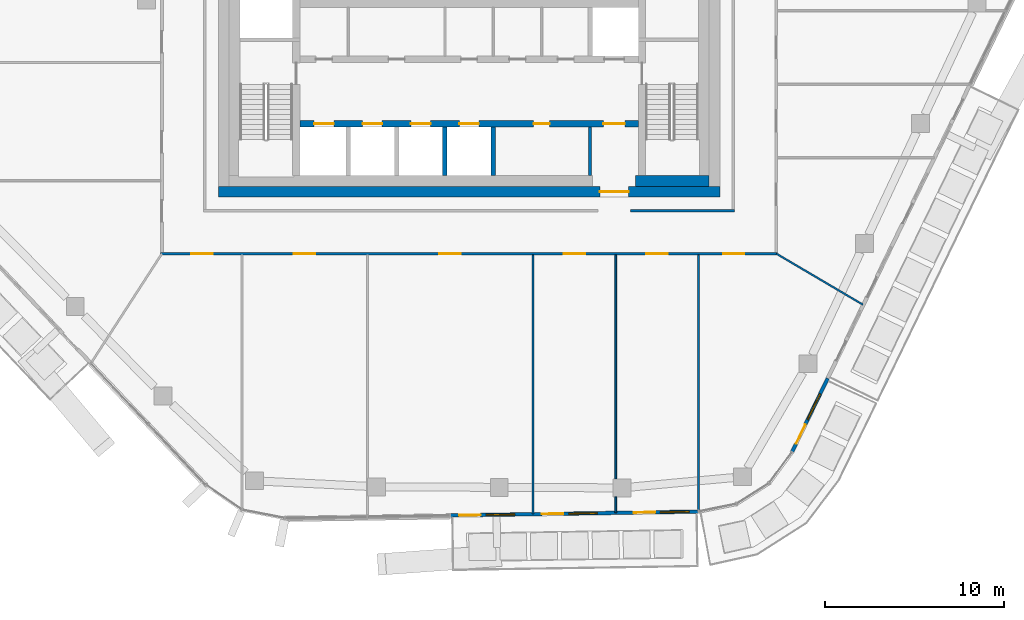
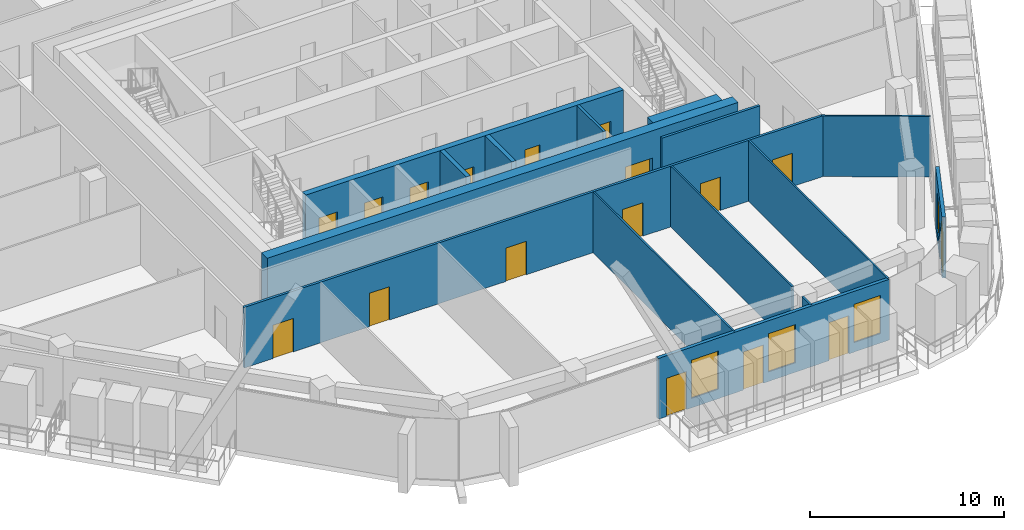
# One storey, part 13 of 24: 17 doors, 15 walls, 4 windows, 21 openings.
"""IFC4 building model written with IfcOpenShell, lengths in metres."""

from ifc_helpers import new_model, si_unit, direction, frame, frame_2d, origin, place, context, subcontext, project, spatial, rectangle, extrude, material, layer, layer_set, type_object, element, fill, save


model = new_model("IFC4")

# Units and contexts
model_context = context("Model", 3, precision=1e-05, world=origin(), true_north=direction((0.0, 1.0)))
body_context = subcontext(model_context, "Body", "Model", "MODEL_VIEW")
ifc_project = project(units=[si_unit("LENGTHUNIT", "METRE"), si_unit("AREAUNIT", "SQUARE_METRE"), si_unit("VOLUMEUNIT", "CUBIC_METRE"), si_unit("PLANEANGLEUNIT", "RADIAN"), si_unit("MASSUNIT", "GRAM", prefix="KILO")], contexts=[model_context])

# Site, building, storey
site_placement = place(None, origin())
site = spatial("IfcSite", under=ifc_project, at=site_placement, CompositionType="ELEMENT")
building_placement = place(site_placement, origin())
building = spatial("IfcBuilding", under=site, at=building_placement, Name="Dongbaek Canopy Tower", CompositionType="ELEMENT")
storey_placement = place(building_placement, frame((0.0, 0.0, 298.39990234375)))
storey = spatial("IfcBuildingStorey", under=building, at=storey_placement, Name="L63", CompositionType="ELEMENT", Elevation=298.39990234375)

# Wall, openings, doors
ifc_material_1 = material(Name="Concrete C60/75", Category="concrete")
ifc_layer_1 = layer(ifc_material_1, 0.35009765625)
ifc_layer_set_1 = layer_set([ifc_layer_1], Name="Core lobby wall 350 Concrete C60/75")
wall_type_1 = type_object("IfcWallType", Name="Core lobby wall 350 Concrete C60/75", PredefinedType="SHEAR", material=ifc_layer_set_1)
wall_1_placement = place(storey_placement, frame((9.449951171875, -6.89990234375, 0.0), z_axis=(0.0, 0.0, 1.0), x_axis=(-1.0, 0.0, 0.0)))
wall_1 = element("IfcWall", 1, at=wall_1_placement, inside=storey, type_object=wall_type_1, Name="Core wall", PredefinedType="SHEAR", context=body_context, shape_type="SweptSolid", body=[
    extrude(rectangle(XDim=18.89990234375, YDim=0.35009765625, at=frame_2d((9.449951171875, 0.0))), origin(), (0.0, 0.0, 1.0), 3.820068359375),
])
opening_1_placement = place(wall_1_placement, frame((17.0, 0.0, 0.0)))
opening_1 = element("IfcOpeningElement", 2, at=opening_1_placement, cuts=wall_1, Name="Opening L63-D035", PredefinedType="OPENING", context=body_context, shape_type="SweptSolid", body=[
    extrude(rectangle(XDim=1.10009765625, YDim=2.10009765625, at=frame_2d((0.550048828125, 1.050048828125))), frame((0.0, 0.18505859375, 0.0), z_axis=(0.0, -1.0, 0.0), x_axis=(1.0, 0.0, 0.0)), (0.0, 0.0, 1.0), 0.3701171875),
])
opening_2_placement = place(wall_1_placement, frame((14.300048828125, 0.0, 0.0)))
opening_2 = element("IfcOpeningElement", 3, at=opening_2_placement, cuts=wall_1, Name="Opening L63-D036", PredefinedType="OPENING", context=body_context, shape_type="SweptSolid", body=[
    extrude(rectangle(XDim=1.10009765625, YDim=2.10009765625, at=frame_2d((0.550048828125, 1.050048828125))), frame((0.0, 0.18505859375, 0.0), z_axis=(0.0, -1.0, 0.0), x_axis=(1.0, 0.0, 0.0)), (0.0, 0.0, 1.0), 0.3701171875),
])
opening_3_placement = place(wall_1_placement, frame((11.60009765625, 0.0, 0.0)))
opening_3 = element("IfcOpeningElement", 4, at=opening_3_placement, cuts=wall_1, Name="Opening L63-D037", PredefinedType="OPENING", context=body_context, shape_type="SweptSolid", body=[
    extrude(rectangle(XDim=1.10009765625, YDim=2.10009765625, at=frame_2d((0.550048828125, 1.050048828125))), frame((0.0, 0.18505859375, 0.0), z_axis=(0.0, -1.0, 0.0), x_axis=(1.0, 0.0, 0.0)), (0.0, 0.0, 1.0), 0.3701171875),
])
opening_4_placement = place(wall_1_placement, frame((8.89990234375, 0.0, 0.0)))
opening_4 = element("IfcOpeningElement", 5, at=opening_4_placement, cuts=wall_1, Name="Opening L63-D038", PredefinedType="OPENING", context=body_context, shape_type="SweptSolid", body=[
    extrude(rectangle(XDim=1.10009765625, YDim=2.10009765625, at=frame_2d((0.550048828125, 1.050048828125))), frame((0.0, 0.18505859375, 0.0), z_axis=(0.0, -1.0, 0.0), x_axis=(1.0, 0.0, 0.0)), (0.0, 0.0, 1.0), 0.3701171875),
])
opening_5_placement = place(wall_1_placement, frame((0.75, 0.0, 0.0)))
opening_5 = element("IfcOpeningElement", 6, at=opening_5_placement, cuts=wall_1, Name="Opening L63-D040", PredefinedType="OPENING", context=body_context, shape_type="SweptSolid", body=[
    extrude(rectangle(XDim=1.199951171875, YDim=2.10009765625, at=frame_2d((0.60009765625, 1.050048828125))), frame((0.0, 0.18505859375, 0.0), z_axis=(0.0, -1.0, 0.0), x_axis=(1.0, 0.0, 0.0)), (0.0, 0.0, 1.0), 0.3701171875),
])
opening_6_placement = place(wall_1_placement, frame((4.949951171875, 0.0, 0.0)))
opening_6 = element("IfcOpeningElement", 7, at=opening_6_placement, cuts=wall_1, Name="Opening L63-D051", PredefinedType="OPENING", context=body_context, shape_type="SweptSolid", body=[
    extrude(rectangle(XDim=0.89990234375, YDim=2.10009765625, at=frame_2d((0.449951171875, 1.050048828125))), frame((0.0, 0.18505859375, 0.0), z_axis=(0.0, -1.0, 0.0), x_axis=(1.0, 0.0, 0.0)), (0.0, 0.0, 1.0), 0.3701171875),
])
ifc_material_2 = material(Name="Steel", Category="steel")
door_type_1 = type_object("IfcDoorType", Name="Core room door 900 x 2100", OperationType="SINGLE_SWING_LEFT", PredefinedType="DOOR", material=ifc_material_2)
door_1_placement = place(opening_6_placement, origin())
door_1 = element("IfcDoor", 8, at=door_1_placement, inside=storey, type_object=door_type_1, Name="Door L63-D051", OperationType="SINGLE_SWING_RIGHT", OverallHeight=2.10009765625, OverallWidth=0.89990234375, PredefinedType="DOOR", context=body_context, shape_type="SweptSolid", body=[
    extrude(rectangle(XDim=0.89990234375, YDim=2.10009765625, at=frame_2d((0.449951171875, 1.050048828125))), frame((0.0, 0.02490234375, 0.0), z_axis=(0.0, -1.0, 0.0), x_axis=(1.0, 0.0, 0.0)), (0.0, 0.0, 1.0), 0.050048828125),
])
fill(opening_6, door_1)
ifc_material_3 = material(Name="Steel", Category="steel")
door_type_2 = type_object("IfcDoorType", Name="Fire lobby door 1200 x 2100", OperationType="SINGLE_SWING_LEFT", PredefinedType="DOOR", material=ifc_material_3)
door_2_placement = place(opening_5_placement, origin())
door_2 = element("IfcDoor", 9, at=door_2_placement, inside=storey, type_object=door_type_2, Name="Door L63-D040", OperationType="SINGLE_SWING_LEFT", OverallHeight=2.10009765625, OverallWidth=1.199951171875, PredefinedType="DOOR", context=body_context, shape_type="SweptSolid", body=[
    extrude(rectangle(XDim=1.199951171875, YDim=2.10009765625, at=frame_2d((0.60009765625, 1.050048828125))), frame((0.0, 0.02490234375, 0.0), z_axis=(0.0, -1.0, 0.0), x_axis=(1.0, 0.0, 0.0)), (0.0, 0.0, 1.0), 0.050048828125),
])
fill(opening_5, door_2)
ifc_material_4 = material(Name="Stainless steel", Category="steel")
door_type_3 = type_object("IfcDoorType", Name="Lift landing door 1100 x 2100", OperationType="DOUBLE_DOOR_SLIDING", PredefinedType="DOOR", material=ifc_material_4)
door_3_placement = place(opening_1_placement, origin())
door_3 = element("IfcDoor", 10, at=door_3_placement, inside=storey, type_object=door_type_3, Name="Landing door HR1", OperationType="DOUBLE_DOOR_SLIDING", OverallHeight=2.10009765625, OverallWidth=1.10009765625, PredefinedType="DOOR", context=body_context, shape_type="SweptSolid", body=[
    extrude(rectangle(XDim=1.10009765625, YDim=2.10009765625, at=frame_2d((0.550048828125, 1.050048828125))), frame((0.0, 0.02490234375, 0.0), z_axis=(0.0, -1.0, 0.0), x_axis=(1.0, 0.0, 0.0)), (0.0, 0.0, 1.0), 0.050048828125),
])
fill(opening_1, door_3)
door_4_placement = place(opening_2_placement, origin())
door_4 = element("IfcDoor", 11, at=door_4_placement, inside=storey, type_object=door_type_3, Name="Landing door HR2", OperationType="DOUBLE_DOOR_SLIDING", OverallHeight=2.10009765625, OverallWidth=1.10009765625, PredefinedType="DOOR", context=body_context, shape_type="SweptSolid", body=[
    extrude(rectangle(XDim=1.10009765625, YDim=2.10009765625, at=frame_2d((0.550048828125, 1.050048828125))), frame((0.0, 0.02490234375, 0.0), z_axis=(0.0, -1.0, 0.0), x_axis=(1.0, 0.0, 0.0)), (0.0, 0.0, 1.0), 0.050048828125),
])
fill(opening_2, door_4)
door_5_placement = place(opening_3_placement, origin())
door_5 = element("IfcDoor", 12, at=door_5_placement, inside=storey, type_object=door_type_3, Name="Landing door HR3", OperationType="DOUBLE_DOOR_SLIDING", OverallHeight=2.10009765625, OverallWidth=1.10009765625, PredefinedType="DOOR", context=body_context, shape_type="SweptSolid", body=[
    extrude(rectangle(XDim=1.10009765625, YDim=2.10009765625, at=frame_2d((0.550048828125, 1.050048828125))), frame((0.0, 0.02490234375, 0.0), z_axis=(0.0, -1.0, 0.0), x_axis=(1.0, 0.0, 0.0)), (0.0, 0.0, 1.0), 0.050048828125),
])
fill(opening_3, door_5)
door_6_placement = place(opening_4_placement, origin())
door_6 = element("IfcDoor", 13, at=door_6_placement, inside=storey, type_object=door_type_3, Name="Landing door HR4", OperationType="DOUBLE_DOOR_SLIDING", OverallHeight=2.10009765625, OverallWidth=1.10009765625, PredefinedType="DOOR", context=body_context, shape_type="SweptSolid", body=[
    extrude(rectangle(XDim=1.10009765625, YDim=2.10009765625, at=frame_2d((0.550048828125, 1.050048828125))), frame((0.0, 0.02490234375, 0.0), z_axis=(0.0, -1.0, 0.0), x_axis=(1.0, 0.0, 0.0)), (0.0, 0.0, 1.0), 0.050048828125),
])
fill(opening_4, door_6)

# Wall, opening, door
ifc_material_5 = material(Name="Concrete C80/95", Category="concrete")
ifc_layer_2 = layer(ifc_material_5, 0.60009765625)
ifc_layer_set_2 = layer_set([ifc_layer_2], Name="Core outer wall 600 Concrete C80/95")
wall_type_2 = type_object("IfcWallType", Name="Core outer wall 600 Concrete C80/95", PredefinedType="SHEAR", material=ifc_layer_set_2)
wall_2_placement = place(storey_placement, frame((14.0, -10.699951171875, 0.0), z_axis=(0.0, 0.0, 1.0), x_axis=(-1.0, 0.0, 0.0)))
wall_2 = element("IfcWall", 14, at=wall_2_placement, inside=storey, type_object=wall_type_2, Name="Core wall", PredefinedType="SHEAR", context=body_context, shape_type="SweptSolid", body=[
    extrude(rectangle(XDim=28.0, YDim=0.60009765625, at=frame_2d((14.0, 0.0))), origin(), (0.0, 0.0, 1.0), 3.820068359375),
])
opening_7_placement = place(wall_2_placement, frame((5.10009765625, 0.0, 0.0)))
opening_7 = element("IfcOpeningElement", 15, at=opening_7_placement, cuts=wall_2, Name="Opening L63-D039", PredefinedType="OPENING", context=body_context, shape_type="SweptSolid", body=[
    extrude(rectangle(XDim=1.60009765625, YDim=2.10009765625, at=frame_2d((0.800048828125, 1.050048828125))), frame((0.0, 0.31005859375, 0.0), z_axis=(0.0, -1.0, 0.0), x_axis=(1.0, 0.0, 0.0)), (0.0, 0.0, 1.0), 0.6201171875),
])
ifc_material_6 = material(Name="Steel", Category="steel")
door_type_4 = type_object("IfcDoorType", Name="Core exit door 1600 x 2100", OperationType="DOUBLE_DOOR_SINGLE_SWING", PredefinedType="DOOR", material=ifc_material_6)
door_7_placement = place(opening_7_placement, origin())
door_7 = element("IfcDoor", 16, at=door_7_placement, inside=storey, type_object=door_type_4, Name="Core exit door", OperationType="DOUBLE_DOOR_SINGLE_SWING", OverallHeight=2.10009765625, OverallWidth=1.60009765625, PredefinedType="DOOR", context=body_context, shape_type="SweptSolid", body=[
    extrude(rectangle(XDim=1.60009765625, YDim=2.10009765625, at=frame_2d((0.800048828125, 1.050048828125))), frame((0.0, 0.02490234375, 0.0), z_axis=(0.0, -1.0, 0.0), x_axis=(1.0, 0.0, 0.0)), (0.0, 0.0, 1.0), 0.050048828125),
])
fill(opening_7, door_7)

# Wall
ifc_material_7 = material(Name="Concrete C60/75", Category="concrete")
ifc_layer_3 = layer(ifc_material_7, 0.60009765625)
ifc_layer_set_3 = layer_set([ifc_layer_3], Name="Core wall lining 600 Concrete C60/75")
wall_type_3 = type_object("IfcWallType", Name="Core wall lining 600 Concrete C60/75", PredefinedType="SHEAR", material=ifc_layer_set_3)
wall_3_placement = place(storey_placement, frame((13.39990234375, -10.10009765625, 0.0), z_axis=(0.0, 0.0, 1.0), x_axis=(-1.0, 0.0, 0.0)))
element("IfcWall", 17, at=wall_3_placement, inside=storey, type_object=wall_type_3, Name="Core wall lining", PredefinedType="SHEAR", context=body_context, shape_type="SweptSolid", body=[
    extrude(rectangle(XDim=4.099853515625, YDim=0.60009765625, at=frame_2d((2.0498046875, 0.0))), origin(), (0.0, 0.0, 1.0), 3.820068359375),
])

# Wall, openings, doors
ifc_material_8 = material(Name="Gypsum board partition, steel stud, 2 x 15 mm fire board", Category="steel")
ifc_layer_4 = layer(ifc_material_8, 0.14990234375)
ifc_layer_set_4 = layer_set([ifc_layer_4], Name="Fire-rated partition 150 gypsum board")
wall_type_4 = type_object("IfcWallType", Name="Fire-rated partition 150 gypsum board", PredefinedType="PARTITIONING", material=ifc_layer_set_4)
wall_4_placement = place(storey_placement, frame((17.22509765625, -14.14990234375, 0.0), z_axis=(0.0, 0.0, 1.0), x_axis=(-1.0, 0.0, 0.0)))
wall_4 = element("IfcWall", 18, at=wall_4_placement, inside=storey, type_object=wall_type_4, Name="Corridor partition", PredefinedType="PARTITIONING", context=body_context, shape_type="SweptSolid", body=[
    extrude(rectangle(XDim=34.4501953125, YDim=0.14990234375, at=frame_2d((17.22509765625, 0.0))), origin(), (0.0, 0.0, 1.0), 3.820068359375),
])
opening_8_placement = place(wall_4_placement, frame((31.540283203125, 0.0, 0.0)))
opening_8 = element("IfcOpeningElement", 19, at=opening_8_placement, cuts=wall_4, Name="Opening L63-D004", PredefinedType="OPENING", context=body_context, shape_type="SweptSolid", body=[
    extrude(rectangle(XDim=1.199951171875, YDim=2.10009765625, at=frame_2d((0.60009765625, 1.050048828125))), frame((0.0, 0.0849609375, 0.0), z_axis=(0.0, -1.0, 0.0), x_axis=(1.0, 0.0, 0.0)), (0.0, 0.0, 1.0), 0.169921875),
])
opening_9_placement = place(wall_4_placement, frame((25.8037109375, 0.0, 0.0)))
opening_9 = element("IfcOpeningElement", 20, at=opening_9_placement, cuts=wall_4, Name="Opening L63-D005", PredefinedType="OPENING", context=body_context, shape_type="SweptSolid", body=[
    extrude(rectangle(XDim=1.199951171875, YDim=2.10009765625, at=frame_2d((0.60009765625, 1.050048828125))), frame((0.0, 0.0849609375, 0.0), z_axis=(0.0, -1.0, 0.0), x_axis=(1.0, 0.0, 0.0)), (0.0, 0.0, 1.0), 0.169921875),
])
opening_10_placement = place(wall_4_placement, frame((17.681396484375, 0.0, 0.0)))
opening_10 = element("IfcOpeningElement", 21, at=opening_10_placement, cuts=wall_4, Name="Opening L63-D006", PredefinedType="OPENING", context=body_context, shape_type="SweptSolid", body=[
    extrude(rectangle(XDim=1.199951171875, YDim=2.10009765625, at=frame_2d((0.60009765625, 1.050048828125))), frame((0.0, 0.0849609375, 0.0), z_axis=(0.0, -1.0, 0.0), x_axis=(1.0, 0.0, 0.0)), (0.0, 0.0, 1.0), 0.169921875),
])
opening_11_placement = place(wall_4_placement, frame((10.751708984375, 0.0, 0.0)))
opening_11 = element("IfcOpeningElement", 22, at=opening_11_placement, cuts=wall_4, Name="Opening L63-D007", PredefinedType="OPENING", context=body_context, shape_type="SweptSolid", body=[
    extrude(rectangle(XDim=1.199951171875, YDim=2.10009765625, at=frame_2d((0.60009765625, 1.050048828125))), frame((0.0, 0.0849609375, 0.0), z_axis=(0.0, -1.0, 0.0), x_axis=(1.0, 0.0, 0.0)), (0.0, 0.0, 1.0), 0.169921875),
])
opening_12_placement = place(wall_4_placement, frame((6.1328125, 0.0, 0.0)))
opening_12 = element("IfcOpeningElement", 23, at=opening_12_placement, cuts=wall_4, Name="Opening L63-D008", PredefinedType="OPENING", context=body_context, shape_type="SweptSolid", body=[
    extrude(rectangle(XDim=1.199951171875, YDim=2.10009765625, at=frame_2d((0.60009765625, 1.050048828125))), frame((0.0, 0.0849609375, 0.0), z_axis=(0.0, -1.0, 0.0), x_axis=(1.0, 0.0, 0.0)), (0.0, 0.0, 1.0), 0.169921875),
])
opening_13_placement = place(wall_4_placement, frame((1.85107421875, 0.0, 0.0)))
opening_13 = element("IfcOpeningElement", 24, at=opening_13_placement, cuts=wall_4, Name="Opening L63-D009", PredefinedType="OPENING", context=body_context, shape_type="SweptSolid", body=[
    extrude(rectangle(XDim=1.199951171875, YDim=2.10009765625, at=frame_2d((0.60009765625, 1.050048828125))), frame((0.0, 0.0849609375, 0.0), z_axis=(0.0, -1.0, 0.0), x_axis=(1.0, 0.0, 0.0)), (0.0, 0.0, 1.0), 0.169921875),
])
ifc_material_9 = material(Name="Timber veneered door leaf", Category="wood")
door_type_5 = type_object("IfcDoorType", Name="Room door 1200 x 2100", OperationType="SINGLE_SWING_LEFT", PredefinedType="DOOR", material=ifc_material_9)
door_8_placement = place(opening_8_placement, origin())
door_8 = element("IfcDoor", 25, at=door_8_placement, inside=storey, type_object=door_type_5, Name="Door L63-D004", OperationType="SINGLE_SWING_LEFT", OverallHeight=2.10009765625, OverallWidth=1.199951171875, PredefinedType="DOOR", context=body_context, shape_type="SweptSolid", body=[
    extrude(rectangle(XDim=1.199951171875, YDim=2.10009765625, at=frame_2d((0.60009765625, 1.050048828125))), frame((0.0, 0.02490234375, 0.0), z_axis=(0.0, -1.0, 0.0), x_axis=(1.0, 0.0, 0.0)), (0.0, 0.0, 1.0), 0.050048828125),
])
fill(opening_8, door_8)
door_9_placement = place(opening_9_placement, origin())
door_9 = element("IfcDoor", 26, at=door_9_placement, inside=storey, type_object=door_type_5, Name="Door L63-D005", OperationType="SINGLE_SWING_RIGHT", OverallHeight=2.10009765625, OverallWidth=1.199951171875, PredefinedType="DOOR", context=body_context, shape_type="SweptSolid", body=[
    extrude(rectangle(XDim=1.199951171875, YDim=2.10009765625, at=frame_2d((0.60009765625, 1.050048828125))), frame((0.0, 0.02490234375, 0.0), z_axis=(0.0, -1.0, 0.0), x_axis=(1.0, 0.0, 0.0)), (0.0, 0.0, 1.0), 0.050048828125),
])
fill(opening_9, door_9)
door_10_placement = place(opening_10_placement, origin())
door_10 = element("IfcDoor", 27, at=door_10_placement, inside=storey, type_object=door_type_5, Name="Door L63-D006", OperationType="SINGLE_SWING_LEFT", OverallHeight=2.10009765625, OverallWidth=1.199951171875, PredefinedType="DOOR", context=body_context, shape_type="SweptSolid", body=[
    extrude(rectangle(XDim=1.199951171875, YDim=2.10009765625, at=frame_2d((0.60009765625, 1.050048828125))), frame((0.0, 0.02490234375, 0.0), z_axis=(0.0, -1.0, 0.0), x_axis=(1.0, 0.0, 0.0)), (0.0, 0.0, 1.0), 0.050048828125),
])
fill(opening_10, door_10)
door_11_placement = place(opening_11_placement, origin())
door_11 = element("IfcDoor", 28, at=door_11_placement, inside=storey, type_object=door_type_5, Name="Door L63-D007", OperationType="SINGLE_SWING_RIGHT", OverallHeight=2.10009765625, OverallWidth=1.199951171875, PredefinedType="DOOR", context=body_context, shape_type="SweptSolid", body=[
    extrude(rectangle(XDim=1.199951171875, YDim=2.10009765625, at=frame_2d((0.60009765625, 1.050048828125))), frame((0.0, 0.02490234375, 0.0), z_axis=(0.0, -1.0, 0.0), x_axis=(1.0, 0.0, 0.0)), (0.0, 0.0, 1.0), 0.050048828125),
])
fill(opening_11, door_11)
door_12_placement = place(opening_12_placement, origin())
door_12 = element("IfcDoor", 29, at=door_12_placement, inside=storey, type_object=door_type_5, Name="Door L63-D008", OperationType="SINGLE_SWING_LEFT", OverallHeight=2.10009765625, OverallWidth=1.199951171875, PredefinedType="DOOR", context=body_context, shape_type="SweptSolid", body=[
    extrude(rectangle(XDim=1.199951171875, YDim=2.10009765625, at=frame_2d((0.60009765625, 1.050048828125))), frame((0.0, 0.02490234375, 0.0), z_axis=(0.0, -1.0, 0.0), x_axis=(1.0, 0.0, 0.0)), (0.0, 0.0, 1.0), 0.050048828125),
])
fill(opening_12, door_12)
door_13_placement = place(opening_13_placement, origin())
door_13 = element("IfcDoor", 30, at=door_13_placement, inside=storey, type_object=door_type_5, Name="Door L63-D009", OperationType="SINGLE_SWING_RIGHT", OverallHeight=2.10009765625, OverallWidth=1.199951171875, PredefinedType="DOOR", context=body_context, shape_type="SweptSolid", body=[
    extrude(rectangle(XDim=1.199951171875, YDim=2.10009765625, at=frame_2d((0.60009765625, 1.050048828125))), frame((0.0, 0.02490234375, 0.0), z_axis=(0.0, -1.0, 0.0), x_axis=(1.0, 0.0, 0.0)), (0.0, 0.0, 1.0), 0.050048828125),
])
fill(opening_13, door_13)

# Walls
wall_5_placement = place(storey_placement, frame((9.0, -11.75, 0.0), z_axis=(0.0, 0.0, 1.0), x_axis=(1.0, 0.0, 0.0)))
element("IfcWall", 31, at=wall_5_placement, inside=storey, type_object=wall_type_4, Name="Corridor partition", PredefinedType="PARTITIONING", context=body_context, shape_type="SweptSolid", body=[
    extrude(rectangle(XDim=5.824951171875, YDim=0.14990234375, at=frame_2d((2.91259765625, 0.0))), origin(), (0.0, 0.0, 1.0), 3.820068359375),
])
wall_6_placement = place(storey_placement, frame((6.75, -9.800048828125, 0.0), z_axis=(0.0, 0.0, 1.0), x_axis=(0.0, 1.0, 0.0)))
element("IfcWall", 32, at=wall_6_placement, inside=storey, type_object=wall_type_4, Name="Fire lobby partition", PredefinedType="PARTITIONING", context=body_context, shape_type="SweptSolid", body=[
    extrude(rectangle(XDim=2.72509765625, YDim=0.14990234375, at=frame_2d((1.362548828125, 0.0))), origin(), (0.0, 0.0, 1.0), 3.820068359375),
])
ifc_material_10 = material(Name="Concrete C40/50", Category="concrete")
ifc_layer_5 = layer(ifc_material_10, 0.25)
ifc_layer_set_5 = layer_set([ifc_layer_5], Name="Lift shaft wall 250 Concrete C40/50")
wall_type_5 = type_object("IfcWallType", Name="Lift shaft wall 250 Concrete C40/50", PredefinedType="SOLIDWALL", material=ifc_layer_set_5)
for number, where, z_axis, x_axis, name in (
    (33, (1.35009765625, -9.800048828125, 0.0), (0.0, 0.0, 1.0), (0.0, 1.0, 0.0), "Lift shaft wall"),
    (34, (-1.35009765625, -9.800048828125, 0.0), (0.0, 0.0, 1.0), (0.0, 1.0, 0.0), "Lift shaft wall"),
):
    element("IfcWall", number, at=place(storey_placement, frame(where, z_axis=z_axis, x_axis=x_axis)), inside=storey, type_object=wall_type_5, Name=name, PredefinedType="SOLIDWALL", context=body_context, shape_type="SweptSolid", body=[
        extrude(rectangle(XDim=2.72509765625, YDim=0.25, at=frame_2d((1.362548828125, 0.0))), origin(), (0.0, 0.0, 1.0), 3.820068359375),
    ])
ifc_material_11 = material(Name="Gypsum board partition, steel stud, 2 x 12.5 mm board", Category="steel")
ifc_layer_6 = layer(ifc_material_11, 0.10009765625)
ifc_layer_set_6 = layer_set([ifc_layer_6], Name="Partition 100 gypsum board")
wall_type_6 = type_object("IfcWallType", Name="Partition 100 gypsum board", PredefinedType="PARTITIONING", material=ifc_layer_set_6)
wall_7_placement = place(storey_placement, frame((12.802001953125, -28.529541015625, 0.0), z_axis=(0.0, 0.0, 1.0), x_axis=(0.0, 1.0, 0.0)))
element("IfcWall", 35, at=wall_7_placement, inside=storey, type_object=wall_type_6, Name="Partition", PredefinedType="PARTITIONING", context=body_context, shape_type="SweptSolid", body=[
    extrude(rectangle(XDim=14.304443359375, YDim=0.10009765625, at=frame_2d((7.15234375, 0.0))), origin(), (0.0, 0.0, 1.0), 3.820068359375),
])
wall_8_placement = place(storey_placement, frame((8.18310546875, -28.602294921875, 0.0), z_axis=(0.0, 0.0, 1.0), x_axis=(0.0, 1.0, 0.0)))
element("IfcWall", 36, at=wall_8_placement, inside=storey, type_object=wall_type_6, Name="Partition", PredefinedType="PARTITIONING", context=body_context, shape_type="SweptSolid", body=[
    extrude(rectangle(XDim=0.875244140625, YDim=0.10009765625, at=frame_2d((0.4375, 0.0))), origin(), (0.0, 0.0, 1.0), 3.820068359375),
])
wall_9_placement = place(storey_placement, frame((8.18310546875, -26.72705078125, 0.0), z_axis=(0.0, 0.0, 1.0), x_axis=(0.0, 1.0, 0.0)))
element("IfcWall", 37, at=wall_9_placement, inside=storey, type_object=wall_type_6, Name="Partition", PredefinedType="PARTITIONING", context=body_context, shape_type="SweptSolid", body=[
    extrude(rectangle(XDim=12.501953125, YDim=0.10009765625, at=frame_2d((6.2509765625, 0.0))), origin(), (0.0, 0.0, 1.0), 3.820068359375),
])
wall_10_placement = place(storey_placement, frame((3.56396484375, -28.6748046875, 0.0), z_axis=(0.0, 0.0, 1.0), x_axis=(0.0, 1.0, 0.0)))
element("IfcWall", 38, at=wall_10_placement, inside=storey, type_object=wall_type_6, Name="Partition", PredefinedType="PARTITIONING", context=body_context, shape_type="SweptSolid", body=[
    extrude(rectangle(XDim=14.44970703125, YDim=0.10009765625, at=frame_2d((7.224853515625, 0.0))), origin(), (0.0, 0.0, 1.0), 3.820068359375),
])
wall_11_placement = place(storey_placement, frame((17.14990234375, -14.150146484375, 0.0), z_axis=(0.0, 0.0, 1.0), x_axis=(0.861619958058, -0.507553985184, 0.0)))
element("IfcWall", 39, at=wall_11_placement, inside=storey, type_object=wall_type_6, Name="Partition", PredefinedType="PARTITIONING", context=body_context, shape_type="SweptSolid", body=[
    extrude(rectangle(XDim=5.614990234375, YDim=0.10009765625, at=frame_2d((2.8076171875, 0.0))), origin(), (0.0, 0.0, 1.0), 3.820068359375),
])

# Wall, openings, doors, windows
ifc_material_12 = material(Name="Aluminium window wall", Category="aluminium")
ifc_layer_7 = layer(ifc_material_12, 0.199951171875)
ifc_layer_set_7 = layer_set([ifc_layer_7], Name="Window wall 200")
wall_type_7 = type_object("IfcWallType", Name="Window wall 200", PredefinedType="SOLIDWALL", material=ifc_layer_set_7)
wall_12_placement = place(storey_placement, frame((-1.054931640625, -28.767333984375, 0.0), z_axis=(0.0, 0.0, 1.0), x_axis=(0.999877073258, 0.015679233829, 0.0)))
wall_12 = element("IfcWall", 40, at=wall_12_placement, inside=storey, type_object=wall_type_7, Name="Window wall L63 4", PredefinedType="SOLIDWALL", context=body_context, shape_type="SweptSolid", body=[
    extrude(rectangle(XDim=13.858154296875, YDim=0.199951171875, at=frame_2d((6.92919921875, 0.0))), origin(), (0.0, 0.0, 1.0), 3.820068359375),
])
opening_14_placement = place(wall_12_placement, frame((2.0, 0.0, 0.60009765625)))
opening_14 = element("IfcOpeningElement", 41, at=opening_14_placement, cuts=wall_12, Name="Opening W1", PredefinedType="OPENING", context=body_context, shape_type="SweptSolid", body=[
    extrude(rectangle(XDim=1.60009765625, YDim=2.39990234375, at=frame_2d((0.800048828125, 1.199951171875))), frame((0.0, 0.10986328125, 0.0), z_axis=(0.0, -1.0, 0.0), x_axis=(1.0, 0.0, 0.0)), (0.0, 0.0, 1.0), 0.219970703125),
])
opening_15_placement = place(wall_12_placement, frame((0.5, 0.0, 0.0)))
opening_15 = element("IfcOpeningElement", 42, at=opening_15_placement, cuts=wall_12, Name="Opening L63-B10", PredefinedType="OPENING", context=body_context, shape_type="SweptSolid", body=[
    extrude(rectangle(XDim=1.199951171875, YDim=2.39990234375, at=frame_2d((0.60009765625, 1.199951171875))), frame((0.0, 0.10986328125, 0.0), z_axis=(0.0, -1.0, 0.0), x_axis=(1.0, 0.0, 0.0)), (0.0, 0.0, 1.0), 0.219970703125),
])
opening_16_placement = place(wall_12_placement, frame((6.619384765625, 0.0, 0.60009765625)))
opening_16 = element("IfcOpeningElement", 43, at=opening_16_placement, cuts=wall_12, Name="Opening W1", PredefinedType="OPENING", context=body_context, shape_type="SweptSolid", body=[
    extrude(rectangle(XDim=1.60009765625, YDim=2.39990234375, at=frame_2d((0.800048828125, 1.199951171875))), frame((0.0, 0.10986328125, 0.0), z_axis=(0.0, -1.0, 0.0), x_axis=(1.0, 0.0, 0.0)), (0.0, 0.0, 1.0), 0.219970703125),
])
opening_17_placement = place(wall_12_placement, frame((5.119384765625, 0.0, 0.0)))
opening_17 = element("IfcOpeningElement", 44, at=opening_17_placement, cuts=wall_12, Name="Opening L63-B11", PredefinedType="OPENING", context=body_context, shape_type="SweptSolid", body=[
    extrude(rectangle(XDim=1.199951171875, YDim=2.39990234375, at=frame_2d((0.60009765625, 1.199951171875))), frame((0.0, 0.10986328125, 0.0), z_axis=(0.0, -1.0, 0.0), x_axis=(1.0, 0.0, 0.0)), (0.0, 0.0, 1.0), 0.219970703125),
])
opening_18_placement = place(wall_12_placement, frame((11.73876953125, 0.0, 0.60009765625)))
opening_18 = element("IfcOpeningElement", 45, at=opening_18_placement, cuts=wall_12, Name="Opening W1", PredefinedType="OPENING", context=body_context, shape_type="SweptSolid", body=[
    extrude(rectangle(XDim=1.60009765625, YDim=2.39990234375, at=frame_2d((0.800048828125, 1.199951171875))), frame((0.0, 0.10986328125, 0.0), z_axis=(0.0, -1.0, 0.0), x_axis=(1.0, 0.0, 0.0)), (0.0, 0.0, 1.0), 0.219970703125),
])
opening_19_placement = place(wall_12_placement, frame((10.23876953125, 0.0, 0.0)))
opening_19 = element("IfcOpeningElement", 46, at=opening_19_placement, cuts=wall_12, Name="Opening L63-B12", PredefinedType="OPENING", context=body_context, shape_type="SweptSolid", body=[
    extrude(rectangle(XDim=1.199951171875, YDim=2.39990234375, at=frame_2d((0.60009765625, 1.199951171875))), frame((0.0, 0.10986328125, 0.0), z_axis=(0.0, -1.0, 0.0), x_axis=(1.0, 0.0, 0.0)), (0.0, 0.0, 1.0), 0.219970703125),
])
ifc_material_13 = material(Name="Clear glazing in aluminium frame", Category="aluminium")
door_type_6 = type_object("IfcDoorType", Name="Balcony door BD1 1200 x 2400", OperationType="SLIDING_TO_LEFT", PredefinedType="DOOR", material=ifc_material_13)
door_14_placement = place(opening_15_placement, origin())
door_14 = element("IfcDoor", 47, at=door_14_placement, inside=storey, type_object=door_type_6, Name="Balcony door L63-B10", OperationType="SLIDING_TO_LEFT", OverallHeight=2.39990234375, OverallWidth=1.199951171875, PredefinedType="DOOR", context=body_context, shape_type="SweptSolid", body=[
    extrude(rectangle(XDim=1.199951171875, YDim=2.39990234375, at=frame_2d((0.60009765625, 1.199951171875))), frame((0.0, 0.02490234375, 0.0), z_axis=(0.0, -1.0, 0.0), x_axis=(1.0, 0.0, 0.0)), (0.0, 0.0, 1.0), 0.050048828125),
])
fill(opening_15, door_14)
door_15_placement = place(opening_17_placement, origin())
door_15 = element("IfcDoor", 48, at=door_15_placement, inside=storey, type_object=door_type_6, Name="Balcony door L63-B11", OperationType="SLIDING_TO_LEFT", OverallHeight=2.39990234375, OverallWidth=1.199951171875, PredefinedType="DOOR", context=body_context, shape_type="SweptSolid", body=[
    extrude(rectangle(XDim=1.199951171875, YDim=2.39990234375, at=frame_2d((0.60009765625, 1.199951171875))), frame((0.0, 0.02490234375, 0.0), z_axis=(0.0, -1.0, 0.0), x_axis=(1.0, 0.0, 0.0)), (0.0, 0.0, 1.0), 0.050048828125),
])
fill(opening_17, door_15)
door_16_placement = place(opening_19_placement, origin())
door_16 = element("IfcDoor", 49, at=door_16_placement, inside=storey, type_object=door_type_6, Name="Balcony door L63-B12", OperationType="SLIDING_TO_LEFT", OverallHeight=2.39990234375, OverallWidth=1.199951171875, PredefinedType="DOOR", context=body_context, shape_type="SweptSolid", body=[
    extrude(rectangle(XDim=1.199951171875, YDim=2.39990234375, at=frame_2d((0.60009765625, 1.199951171875))), frame((0.0, 0.02490234375, 0.0), z_axis=(0.0, -1.0, 0.0), x_axis=(1.0, 0.0, 0.0)), (0.0, 0.0, 1.0), 0.050048828125),
])
fill(opening_19, door_16)
ifc_material_14 = material(Name="Clear glazing in aluminium frame", Category="aluminium")
window_type = type_object("IfcWindowType", Name="Window W1 1600 x 2400", PartitioningType="SINGLE_PANEL", PredefinedType="WINDOW", material=ifc_material_14)
window_1_placement = place(opening_14_placement, origin())
window_1 = element("IfcWindow", 50, at=window_1_placement, inside=storey, type_object=window_type, Name="Window L63 4.1", OverallHeight=2.39990234375, OverallWidth=1.60009765625, PartitioningType="SINGLE_PANEL", PredefinedType="WINDOW", context=body_context, shape_type="SweptSolid", body=[
    extrude(rectangle(XDim=1.60009765625, YDim=2.39990234375, at=frame_2d((0.800048828125, 1.199951171875))), frame((0.0, 0.030029296875, 0.0), z_axis=(0.0, -1.0, 0.0), x_axis=(1.0, 0.0, 0.0)), (0.0, 0.0, 1.0), 0.06005859375),
])
fill(opening_14, window_1)
window_2_placement = place(opening_16_placement, origin())
window_2 = element("IfcWindow", 51, at=window_2_placement, inside=storey, type_object=window_type, Name="Window L63 4.2", OverallHeight=2.39990234375, OverallWidth=1.60009765625, PartitioningType="SINGLE_PANEL", PredefinedType="WINDOW", context=body_context, shape_type="SweptSolid", body=[
    extrude(rectangle(XDim=1.60009765625, YDim=2.39990234375, at=frame_2d((0.800048828125, 1.199951171875))), frame((0.0, 0.030029296875, 0.0), z_axis=(0.0, -1.0, 0.0), x_axis=(1.0, 0.0, 0.0)), (0.0, 0.0, 1.0), 0.06005859375),
])
fill(opening_16, window_2)
window_3_placement = place(opening_18_placement, origin())
window_3 = element("IfcWindow", 52, at=window_3_placement, inside=storey, type_object=window_type, Name="Window L63 4.3", OverallHeight=2.39990234375, OverallWidth=1.60009765625, PartitioningType="SINGLE_PANEL", PredefinedType="WINDOW", context=body_context, shape_type="SweptSolid", body=[
    extrude(rectangle(XDim=1.60009765625, YDim=2.39990234375, at=frame_2d((0.800048828125, 1.199951171875))), frame((0.0, 0.030029296875, 0.0), z_axis=(0.0, -1.0, 0.0), x_axis=(1.0, 0.0, 0.0)), (0.0, 0.0, 1.0), 0.06005859375),
])
fill(opening_18, window_3)

# Wall, openings, door, window
wall_13_placement = place(storey_placement, frame((18.0322265625, -25.2138671875, 0.0), z_axis=(0.0, 0.0, 1.0), x_axis=(0.435874843819, 0.900007289151, 0.0)))
wall_13 = element("IfcWall", 53, at=wall_13_placement, inside=storey, type_object=wall_type_7, Name="Window wall L63 8", PredefinedType="SOLIDWALL", context=body_context, shape_type="SweptSolid", body=[
    extrude(rectangle(XDim=4.55322265625, YDim=0.199951171875, at=frame_2d((2.276611328125, 0.0))), origin(), (0.0, 0.0, 1.0), 3.820068359375),
])
opening_20_placement = place(wall_13_placement, frame((2.0, 0.0, 0.60009765625)))
opening_20 = element("IfcOpeningElement", 54, at=opening_20_placement, cuts=wall_13, Name="Opening W1", PredefinedType="OPENING", context=body_context, shape_type="SweptSolid", body=[
    extrude(rectangle(XDim=1.60009765625, YDim=2.39990234375, at=frame_2d((0.800048828125, 1.199951171875))), frame((0.0, 0.10986328125, 0.0), z_axis=(0.0, -1.0, 0.0), x_axis=(1.0, 0.0, 0.0)), (0.0, 0.0, 1.0), 0.219970703125),
])
opening_21_placement = place(wall_13_placement, frame((0.5, 0.0, 0.0)))
opening_21 = element("IfcOpeningElement", 55, at=opening_21_placement, cuts=wall_13, Name="Opening L63-B17", PredefinedType="OPENING", context=body_context, shape_type="SweptSolid", body=[
    extrude(rectangle(XDim=1.199951171875, YDim=2.39990234375, at=frame_2d((0.60009765625, 1.199951171875))), frame((0.0, 0.10986328125, 0.0), z_axis=(0.0, -1.0, 0.0), x_axis=(1.0, 0.0, 0.0)), (0.0, 0.0, 1.0), 0.219970703125),
])
door_17_placement = place(opening_21_placement, origin())
door_17 = element("IfcDoor", 56, at=door_17_placement, inside=storey, type_object=door_type_6, Name="Balcony door L63-B17", OperationType="SLIDING_TO_LEFT", OverallHeight=2.39990234375, OverallWidth=1.199951171875, PredefinedType="DOOR", context=body_context, shape_type="SweptSolid", body=[
    extrude(rectangle(XDim=1.199951171875, YDim=2.39990234375, at=frame_2d((0.60009765625, 1.199951171875))), frame((0.0, 0.02490234375, 0.0), z_axis=(0.0, -1.0, 0.0), x_axis=(1.0, 0.0, 0.0)), (0.0, 0.0, 1.0), 0.050048828125),
])
fill(opening_21, door_17)
window_4_placement = place(opening_20_placement, origin())
window_4 = element("IfcWindow", 57, at=window_4_placement, inside=storey, type_object=window_type, Name="Window L63 8.1", OverallHeight=2.39990234375, OverallWidth=1.60009765625, PartitioningType="SINGLE_PANEL", PredefinedType="WINDOW", context=body_context, shape_type="SweptSolid", body=[
    extrude(rectangle(XDim=1.60009765625, YDim=2.39990234375, at=frame_2d((0.800048828125, 1.199951171875))), frame((0.0, 0.030029296875, 0.0), z_axis=(0.0, -1.0, 0.0), x_axis=(1.0, 0.0, 0.0)), (0.0, 0.0, 1.0), 0.06005859375),
])
fill(opening_20, window_4)

save(model, "model.ifc")
